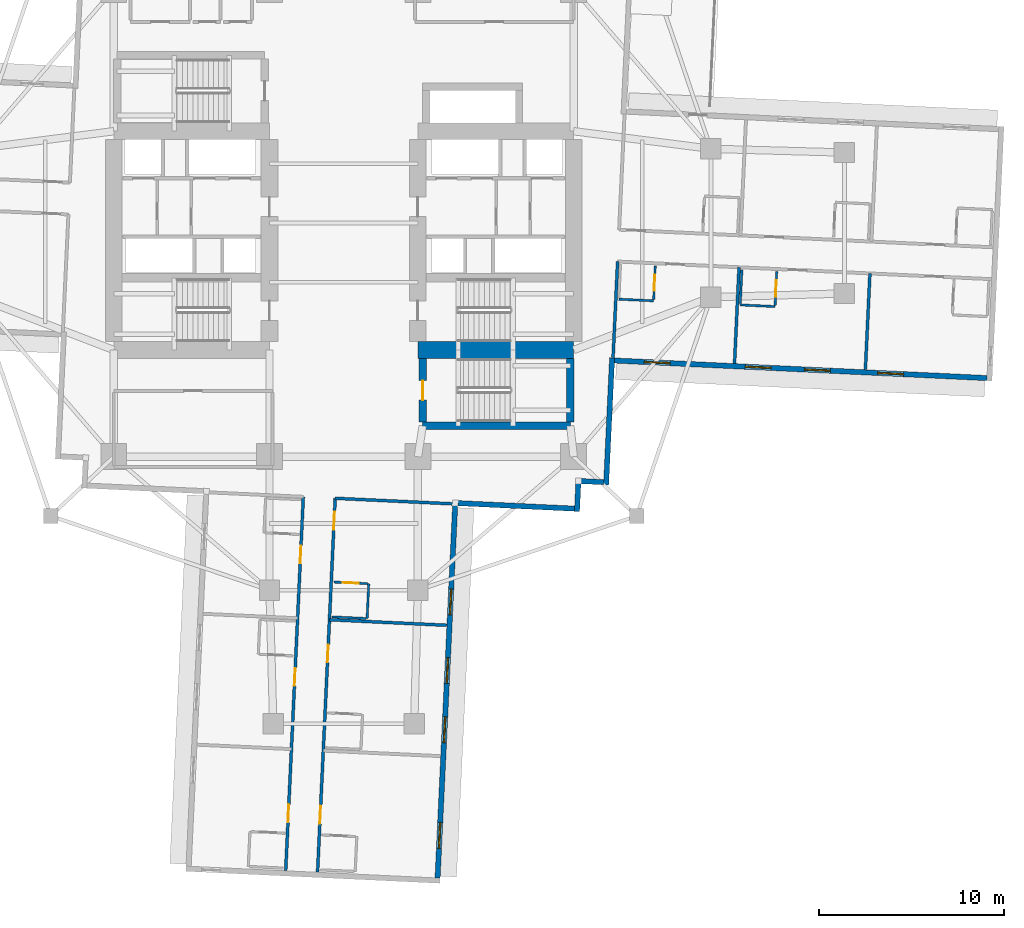
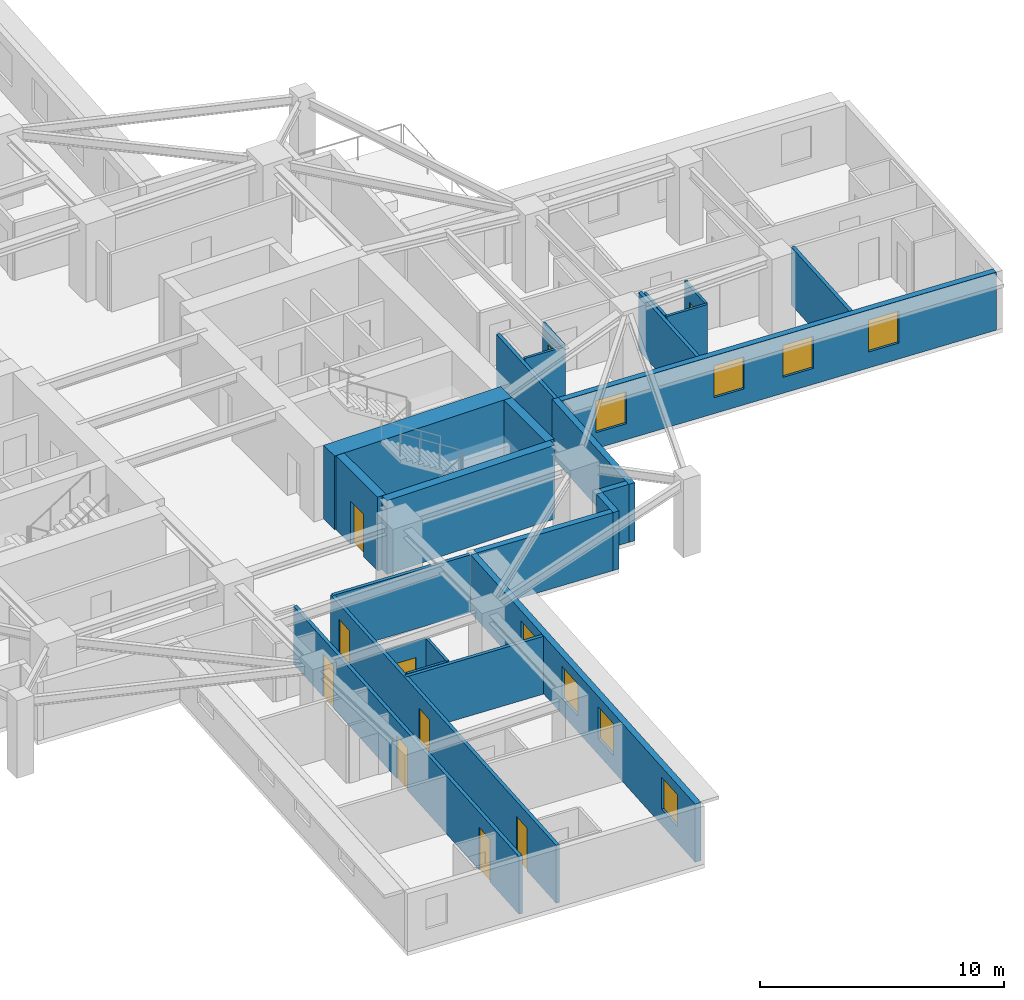
# One storey, part 4 of 14: 25 walls, 10 doors, 8 windows, 18 openings.
"""IFC4 building model written with IfcOpenShell, lengths in metres."""

from ifc_helpers import new_model, si_unit, direction, frame, frame_2d, origin, place, context, subcontext, project, spatial, rectangle, extrude, material, layer, layer_set, type_object, element, fill, save


model = new_model("IFC4")

# Units and contexts
model_context = context("Model", 3, precision=1e-05, world=origin(), true_north=direction((0.0, 1.0)))
body_context = subcontext(model_context, "Body", "Model", "MODEL_VIEW")
ifc_project = project(units=[si_unit("LENGTHUNIT", "METRE"), si_unit("AREAUNIT", "SQUARE_METRE"), si_unit("VOLUMEUNIT", "CUBIC_METRE"), si_unit("PLANEANGLEUNIT", "RADIAN"), si_unit("MASSUNIT", "GRAM", prefix="KILO")], contexts=[model_context])

# Site, building, storey
site_placement = place(None, origin())
site = spatial("IfcSite", under=ifc_project, at=site_placement, CompositionType="ELEMENT")
building_placement = place(site_placement, origin())
building = spatial("IfcBuilding", under=site, at=building_placement, Name="Qingluan Cross Belvedere", CompositionType="ELEMENT")
storey_placement = place(building_placement, frame((0.0, 0.0, 75.60009765625)))
storey = spatial("IfcBuildingStorey", under=building, at=storey_placement, Name="L19", CompositionType="ELEMENT", Elevation=75.60009765625)

# Wall
ifc_material_1 = material(Name="Concrete C50", Category="concrete")
ifc_layer_1 = layer(ifc_material_1, 0.449951171875, Name="CoreShearWall_450")
ifc_layer_set_1 = layer_set([ifc_layer_1], Name="Concrete C50")
wall_type_1 = type_object("IfcWallType", Name="CoreShearWall_450", PredefinedType="SHEAR", material=ifc_layer_set_1)
wall_1_placement = place(storey_placement, frame((4.260009765625, -10.93994140625, 0.0), z_axis=(0.0, 0.0, 1.0), x_axis=(1.0, 0.0, 0.0)))
element("IfcWall", 1, at=wall_1_placement, inside=storey, type_object=wall_type_1, Name="Stair ST4 structural wall S L19", PredefinedType="SHEAR", context=body_context, shape_type="SweptSolid", body=[
    extrude(rectangle(XDim=7.9599609375, YDim=0.39990234375, at=frame_2d((3.97998046875, 0.0))), origin(), (0.0, 0.0, 1.0), 3.699951171875),
])

# Wall, opening, door
wall_2_placement = place(storey_placement, frame((4.260009765625, -10.735107421875, 0.0), z_axis=(0.0, 0.0, 1.0), x_axis=(0.0, 1.0, 0.0)))
wall_2 = element("IfcWall", 2, at=wall_2_placement, inside=storey, type_object=wall_type_1, Name="Stair ST4 structural wall W L19", PredefinedType="SHEAR", context=body_context, shape_type="SweptSolid", body=[
    extrude(rectangle(XDim=3.43017578125, YDim=0.39990234375, at=frame_2d((1.715087890625, 0.0))), origin(), (0.0, 0.0, 1.0), 3.699951171875),
])
opening_1_placement = place(wall_2_placement, frame((1.18505859375, 0.0, 0.0)))
opening_1 = element("IfcOpeningElement", 3, at=opening_1_placement, cuts=wall_2, Name="Opening FD-B11", PredefinedType="OPENING", context=body_context, shape_type="SweptSolid", body=[
    extrude(rectangle(XDim=1.050048828125, YDim=2.14990234375, at=frame_2d((0.52490234375, 1.074951171875))), frame((0.0, 0.2099609375, 0.0), z_axis=(0.0, -1.0, 0.0), x_axis=(1.0, 0.0, 0.0)), (0.0, 0.0, 1.0), 0.419921875),
])
ifc_material_2 = material(Name="Steel Class B smoke-seal fire door", Category="steel")
door_type_1 = type_object("IfcDoorType", Name="StairLobbyFireDoor_FDB", OperationType="NOTDEFINED", PredefinedType="DOOR", material=ifc_material_2)
door_1_placement = place(opening_1_placement, origin())
door_1 = element("IfcDoor", 4, at=door_1_placement, inside=storey, type_object=door_type_1, Name="Smoke-proof stair ST4 fire door L19", OperationType="SINGLE_SWING_LEFT", OverallHeight=2.14990234375, OverallWidth=1.050048828125, PredefinedType="DOOR", context=body_context, shape_type="SweptSolid", body=[
    extrude(rectangle(XDim=1.050048828125, YDim=2.14990234375, at=frame_2d((0.52490234375, 1.074951171875))), frame((0.0, 0.02490234375, 0.0), z_axis=(0.0, -1.0, 0.0), x_axis=(1.0, 0.0, 0.0)), (0.0, 0.0, 1.0), 0.050048828125),
])
fill(opening_1, door_1)

# Walls
wall_3_placement = place(storey_placement, frame((12.219970703125, -10.735107421875, 0.0), z_axis=(0.0, 0.0, 1.0), x_axis=(0.0, 1.0, 0.0)))
element("IfcWall", 5, at=wall_3_placement, inside=storey, type_object=wall_type_1, Name="Stair ST4 structural wall E L19", PredefinedType="SHEAR", context=body_context, shape_type="SweptSolid", body=[
    extrude(rectangle(XDim=3.43017578125, YDim=0.39990234375, at=frame_2d((1.715087890625, 0.0))), origin(), (0.0, 0.0, 1.0), 3.699951171875),
])
ifc_material_3 = material(Name="Concrete C70", Category="concrete")
ifc_layer_2 = layer(ifc_material_3, 0.89990234375, Name="CoreShearWall_900")
ifc_layer_set_2 = layer_set([ifc_layer_2], Name="Concrete C70")
wall_type_2 = type_object("IfcWallType", Name="CoreShearWall_900", PredefinedType="SHEAR", material=ifc_layer_set_2)
wall_4_placement = place(storey_placement, frame((4.0, -6.85009765625, 0.0), z_axis=(0.0, 0.0, 1.0), x_axis=(1.0, 0.0, 0.0)))
element("IfcWall", 6, at=wall_4_placement, inside=storey, type_object=wall_type_2, Name="Split core E shear wall L19-S", PredefinedType="SHEAR", context=body_context, shape_type="SweptSolid", body=[
    extrude(rectangle(XDim=8.39990234375, YDim=0.89990234375, at=frame_2d((4.199951171875, 0.0))), origin(), (0.0, 0.0, 1.0), 3.699951171875),
])
ifc_material_4 = material(Name="Gypsum plasterboard on steel stud acoustic partition", Category="steel")
ifc_layer_3 = layer(ifc_material_4, 0.159912109375, Name="CorridorPartition_160")
ifc_layer_set_3 = layer_set([ifc_layer_3], Name="Gypsum plasterboard on steel stud acoustic partition")
wall_type_3 = type_object("IfcWallType", Name="CorridorPartition_160", PredefinedType="PARTITIONING", material=ifc_layer_set_3)
wall_5_placement = place(storey_placement, frame((14.7685546875, -2.077880859375, 0.0), z_axis=(0.0, 0.0, 1.0), x_axis=(-0.047113881733, -0.998889524496, 0.0)))
element("IfcWall", 7, at=wall_5_placement, inside=storey, type_object=wall_type_3, Name="Partition L19:E:s1", PredefinedType="PARTITIONING", context=body_context, shape_type="SweptSolid", body=[
    extrude(rectangle(XDim=5.1923828125, YDim=0.159912109375, at=frame_2d((2.59619140625, 0.0))), origin(), (0.0, 0.0, 1.0), 2.89990234375),
])
for number, where, z_axis, x_axis, name in (
    (8, (21.317138671875, -2.38671875, 0.0), (0.0, 0.0, 1.0), (-0.047069176844, -0.998891632056, 0.0), "Partition L19:E:d1_0"),
    (9, (28.37451171875, -2.719482421875, 0.0), (0.0, 0.0, 1.0), (-0.047116094665, -0.998889420118, 0.0), "Partition L19:E:d1_1"),
):
    element("IfcWall", number, at=place(storey_placement, frame(where, z_axis=z_axis, x_axis=x_axis)), inside=storey, type_object=wall_type_3, Name=name, PredefinedType="PARTITIONING", context=body_context, shape_type="SweptSolid", body=[
        extrude(rectangle(XDim=5.192138671875, YDim=0.159912109375, at=frame_2d((2.59619140625, 0.0))), origin(), (0.0, 0.0, 1.0), 2.89990234375),
    ])

# Wall, openings, doors
wall_6_placement = place(storey_placement, frame((-0.459716796875, -14.8447265625, 0.0), z_axis=(0.0, 0.0, 1.0), x_axis=(-0.047105352469, -0.998889926753, 0.0)))
wall_6 = element("IfcWall", 10, at=wall_6_placement, inside=storey, type_object=wall_type_3, Name="Partition L19:S:c0", PredefinedType="PARTITIONING", context=body_context, shape_type="SweptSolid", body=[
    extrude(rectangle(XDim=20.18212890625, YDim=0.159912109375, at=frame_2d((10.091064453125, 0.0))), origin(), (0.0, 0.0, 1.0), 2.89990234375),
])
opening_2_placement = place(wall_6_placement, frame((0.73095703125, 0.0, 0.0)))
opening_2 = element("IfcOpeningElement", 11, at=opening_2_placement, cuts=wall_6, Name="Opening GD-10", PredefinedType="OPENING", context=body_context, shape_type="SweptSolid", body=[
    extrude(rectangle(XDim=0.9599609375, YDim=2.14990234375, at=frame_2d((0.47998046875, 1.074951171875))), frame((0.0, 0.08984375, 0.0), z_axis=(0.0, -1.0, 0.0), x_axis=(1.0, 0.0, 0.0)), (0.0, 0.0, 1.0), 0.179931640625),
])
opening_3_placement = place(wall_6_placement, frame((7.89599609375, 0.0, 0.0)))
opening_3 = element("IfcOpeningElement", 12, at=opening_3_placement, cuts=wall_6, Name="Opening GD-10", PredefinedType="OPENING", context=body_context, shape_type="SweptSolid", body=[
    extrude(rectangle(XDim=0.9599609375, YDim=2.14990234375, at=frame_2d((0.47998046875, 1.074951171875))), frame((0.0, 0.08984375, 0.0), z_axis=(0.0, -1.0, 0.0), x_axis=(1.0, 0.0, 0.0)), (0.0, 0.0, 1.0), 0.179931640625),
])
opening_4_placement = place(wall_6_placement, frame((16.611083984375, 0.0, 0.0)))
opening_4 = element("IfcOpeningElement", 13, at=opening_4_placement, cuts=wall_6, Name="Opening GD-10", PredefinedType="OPENING", context=body_context, shape_type="SweptSolid", body=[
    extrude(rectangle(XDim=0.9599609375, YDim=2.14990234375, at=frame_2d((0.47998046875, 1.074951171875))), frame((0.0, 0.08984375, 0.0), z_axis=(0.0, -1.0, 0.0), x_axis=(1.0, 0.0, 0.0)), (0.0, 0.0, 1.0), 0.179931640625),
])
ifc_material_5 = material(Name="Timber oak fire-rated acoustic guestroom door", Category="wood")
door_type_2 = type_object("IfcDoorType", Name="GuestEntryDoor_FD60", OperationType="NOTDEFINED", PredefinedType="DOOR", material=ifc_material_5)
door_2_placement = place(opening_2_placement, origin())
door_2 = element("IfcDoor", 14, at=door_2_placement, inside=storey, type_object=door_type_2, Name="Guest entry fire door 1913", OperationType="SINGLE_SWING_LEFT", OverallHeight=2.14990234375, OverallWidth=0.9599609375, PredefinedType="DOOR", context=body_context, shape_type="SweptSolid", body=[
    extrude(rectangle(XDim=0.9599609375, YDim=2.14990234375, at=frame_2d((0.47998046875, 1.074951171875))), frame((0.0, 0.02490234375, 0.0), z_axis=(0.0, -1.0, 0.0), x_axis=(1.0, 0.0, 0.0)), (0.0, 0.0, 1.0), 0.050048828125),
])
fill(opening_2, door_2)
door_3_placement = place(opening_3_placement, origin())
door_3 = element("IfcDoor", 15, at=door_3_placement, inside=storey, type_object=door_type_2, Name="Guest entry fire door 1914", OperationType="SINGLE_SWING_LEFT", OverallHeight=2.14990234375, OverallWidth=0.9599609375, PredefinedType="DOOR", context=body_context, shape_type="SweptSolid", body=[
    extrude(rectangle(XDim=0.9599609375, YDim=2.14990234375, at=frame_2d((0.47998046875, 1.074951171875))), frame((0.0, 0.02490234375, 0.0), z_axis=(0.0, -1.0, 0.0), x_axis=(1.0, 0.0, 0.0)), (0.0, 0.0, 1.0), 0.050048828125),
])
fill(opening_3, door_3)
door_4_placement = place(opening_4_placement, origin())
door_4 = element("IfcDoor", 16, at=door_4_placement, inside=storey, type_object=door_type_2, Name="Guest entry fire door 1915", OperationType="SINGLE_SWING_LEFT", OverallHeight=2.14990234375, OverallWidth=0.9599609375, PredefinedType="DOOR", context=body_context, shape_type="SweptSolid", body=[
    extrude(rectangle(XDim=0.9599609375, YDim=2.14990234375, at=frame_2d((0.47998046875, 1.074951171875))), frame((0.0, 0.02490234375, 0.0), z_axis=(0.0, -1.0, 0.0), x_axis=(1.0, 0.0, 0.0)), (0.0, 0.0, 1.0), 0.050048828125),
])
fill(opening_4, door_4)

# Walls
wall_7_placement = place(storey_placement, frame((-0.459716796875, -14.8447265625, 0.0), z_axis=(0.0, 0.0, 1.0), x_axis=(0.998888587821, -0.047133736548, 0.0)))
element("IfcWall", 17, at=wall_7_placement, inside=storey, type_object=wall_type_3, Name="Partition L19:S:s0", PredefinedType="PARTITIONING", context=body_context, shape_type="SweptSolid", body=[
    extrude(rectangle(XDim=6.479736328125, YDim=0.159912109375, at=frame_2d((3.23974609375, 0.0))), origin(), (0.0, 0.0, 1.0), 2.89990234375),
])
wall_8_placement = place(storey_placement, frame((-0.7685546875, -21.3935546875, 0.0), z_axis=(0.0, 0.0, 1.0), x_axis=(0.998889408842, -0.047116333717, 0.0)))
element("IfcWall", 18, at=wall_8_placement, inside=storey, type_object=wall_type_3, Name="Partition L19:S:d0_0", PredefinedType="PARTITIONING", context=body_context, shape_type="SweptSolid", body=[
    extrude(rectangle(XDim=6.33203125, YDim=0.159912109375, at=frame_2d((3.166015625, 0.0))), origin(), (0.0, 0.0, 1.0), 2.89990234375),
])

# Wall, openings, doors
wall_9_placement = place(storey_placement, frame((-2.177978515625, -14.763916015625, 0.0), z_axis=(0.0, 0.0, 1.0), x_axis=(-0.047105921672, -0.998889899911, 0.0)))
wall_9 = element("IfcWall", 19, at=wall_9_placement, inside=storey, type_object=wall_type_3, Name="Partition L19:S:c1", PredefinedType="PARTITIONING", context=body_context, shape_type="SweptSolid", body=[
    extrude(rectangle(XDim=20.181884765625, YDim=0.159912109375, at=frame_2d((10.0908203125, 0.0))), origin(), (0.0, 0.0, 1.0), 2.89990234375),
])
opening_5_placement = place(wall_9_placement, frame((2.635986328125, 0.0, 0.0)))
opening_5 = element("IfcOpeningElement", 20, at=opening_5_placement, cuts=wall_9, Name="Opening GD-10", PredefinedType="OPENING", context=body_context, shape_type="SweptSolid", body=[
    extrude(rectangle(XDim=0.9599609375, YDim=2.14990234375, at=frame_2d((0.47998046875, 1.074951171875))), frame((0.0, 0.08984375, 0.0), z_axis=(0.0, -1.0, 0.0), x_axis=(1.0, 0.0, 0.0)), (0.0, 0.0, 1.0), 0.179931640625),
])
opening_6_placement = place(wall_9_placement, frame((9.242919921875, 0.0, 0.0)))
opening_6 = element("IfcOpeningElement", 21, at=opening_6_placement, cuts=wall_9, Name="Opening GD-10", PredefinedType="OPENING", context=body_context, shape_type="SweptSolid", body=[
    extrude(rectangle(XDim=0.9599609375, YDim=2.14990234375, at=frame_2d((0.47998046875, 1.074951171875))), frame((0.0, 0.08984375, 0.0), z_axis=(0.0, -1.0, 0.0), x_axis=(1.0, 0.0, 0.0)), (0.0, 0.0, 1.0), 0.179931640625),
])
opening_7_placement = place(wall_9_placement, frame((16.611083984375, 0.0, 0.0)))
opening_7 = element("IfcOpeningElement", 22, at=opening_7_placement, cuts=wall_9, Name="Opening GD-10", PredefinedType="OPENING", context=body_context, shape_type="SweptSolid", body=[
    extrude(rectangle(XDim=0.9599609375, YDim=2.14990234375, at=frame_2d((0.47998046875, 1.074951171875))), frame((0.0, 0.08984375, 0.0), z_axis=(0.0, -1.0, 0.0), x_axis=(1.0, 0.0, 0.0)), (0.0, 0.0, 1.0), 0.179931640625),
])
door_5_placement = place(opening_5_placement, origin())
door_5 = element("IfcDoor", 23, at=door_5_placement, inside=storey, type_object=door_type_2, Name="Guest entry fire door 1916", OperationType="SINGLE_SWING_LEFT", OverallHeight=2.14990234375, OverallWidth=0.9599609375, PredefinedType="DOOR", context=body_context, shape_type="SweptSolid", body=[
    extrude(rectangle(XDim=0.9599609375, YDim=2.14990234375, at=frame_2d((0.47998046875, 1.074951171875))), frame((0.0, 0.02490234375, 0.0), z_axis=(0.0, -1.0, 0.0), x_axis=(1.0, 0.0, 0.0)), (0.0, 0.0, 1.0), 0.050048828125),
])
fill(opening_5, door_5)
door_6_placement = place(opening_6_placement, origin())
door_6 = element("IfcDoor", 24, at=door_6_placement, inside=storey, type_object=door_type_2, Name="Guest entry fire door 1917", OperationType="SINGLE_SWING_LEFT", OverallHeight=2.14990234375, OverallWidth=0.9599609375, PredefinedType="DOOR", context=body_context, shape_type="SweptSolid", body=[
    extrude(rectangle(XDim=0.9599609375, YDim=2.14990234375, at=frame_2d((0.47998046875, 1.074951171875))), frame((0.0, 0.02490234375, 0.0), z_axis=(0.0, -1.0, 0.0), x_axis=(1.0, 0.0, 0.0)), (0.0, 0.0, 1.0), 0.050048828125),
])
fill(opening_6, door_6)
door_7_placement = place(opening_7_placement, origin())
door_7 = element("IfcDoor", 25, at=door_7_placement, inside=storey, type_object=door_type_2, Name="Guest entry fire door 1918", OperationType="SINGLE_SWING_LEFT", OverallHeight=2.14990234375, OverallWidth=0.9599609375, PredefinedType="DOOR", context=body_context, shape_type="SweptSolid", body=[
    extrude(rectangle(XDim=0.9599609375, YDim=2.14990234375, at=frame_2d((0.47998046875, 1.074951171875))), frame((0.0, 0.02490234375, 0.0), z_axis=(0.0, -1.0, 0.0), x_axis=(1.0, 0.0, 0.0)), (0.0, 0.0, 1.0), 0.050048828125),
])
fill(opening_7, door_7)

# Wall, opening, door
ifc_material_6 = material(Name="Moisture-resistant gypsum board lining")
ifc_layer_4 = layer(ifc_material_6, 0.1201171875, Name="EnsuiteWetPartition_120")
ifc_layer_set_4 = layer_set([ifc_layer_4], Name="Moisture-resistant gypsum board lining")
wall_type_4 = type_object("IfcWallType", Name="EnsuiteWetPartition_120", PredefinedType="PARTITIONING", material=ifc_layer_set_4)
wall_10_placement = place(storey_placement, frame((16.7138671875, -4.1318359375, 0.0), z_axis=(0.0, 0.0, 1.0), x_axis=(0.047087116047, 0.998890786574, 0.0)))
wall_10 = element("IfcWall", 26, at=wall_10_placement, inside=storey, type_object=wall_type_4, Name="Partition L19:E:bs1_0", PredefinedType="PARTITIONING", context=body_context, shape_type="SweptSolid", body=[
    extrude(rectangle(XDim=1.81982421875, YDim=0.1201171875, at=frame_2d((0.909912109375, 0.0))), origin(), (0.0, 0.0, 1.0), 2.89990234375),
])
opening_8_placement = place(wall_10_placement, frame((0.469970703125, 0.0, 0.0)))
opening_8 = element("IfcOpeningElement", 27, at=opening_8_placement, cuts=wall_10, Name="Opening BD-09", PredefinedType="OPENING", context=body_context, shape_type="SweptSolid", body=[
    extrude(rectangle(XDim=0.8798828125, YDim=2.10009765625, at=frame_2d((0.43994140625, 1.050048828125))), frame((0.0, 0.070068359375, 0.0), z_axis=(0.0, -1.0, 0.0), x_axis=(1.0, 0.0, 0.0)), (0.0, 0.0, 1.0), 0.14013671875),
])
ifc_material_7 = material(Name="Moisture-sealed timber en-suite door", Category="wood")
door_type_3 = type_object("IfcDoorType", Name="BathroomDoor_880", OperationType="NOTDEFINED", PredefinedType="DOOR", material=ifc_material_7)
door_8_placement = place(opening_8_placement, origin())
door_8 = element("IfcDoor", 28, at=door_8_placement, inside=storey, type_object=door_type_3, Name="Bathroom door 1904", OperationType="SINGLE_SWING_RIGHT", OverallHeight=2.10009765625, OverallWidth=0.8798828125, PredefinedType="DOOR", context=body_context, shape_type="SweptSolid", body=[
    extrude(rectangle(XDim=0.8798828125, YDim=2.10009765625, at=frame_2d((0.43994140625, 1.050048828125))), frame((0.0, 0.02490234375, 0.0), z_axis=(0.0, -1.0, 0.0), x_axis=(1.0, 0.0, 0.0)), (0.0, 0.0, 1.0), 0.050048828125),
])
fill(opening_8, door_8)

# Wall
wall_11_placement = place(storey_placement, frame((14.8330078125, -4.1083984375, 0.0), z_axis=(0.0, 0.0, 1.0), x_axis=(0.998894425757, -0.04700985207, 0.0)))
element("IfcWall", 29, at=wall_11_placement, inside=storey, type_object=wall_type_4, Name="Partition L19:E:bc1_0", PredefinedType="PARTITIONING", context=body_context, shape_type="SweptSolid", body=[
    extrude(rectangle(XDim=1.880126953125, YDim=0.1201171875, at=frame_2d((0.93994140625, 0.0))), origin(), (0.0, 0.0, 1.0), 2.89990234375),
])

# Wall, opening, door
wall_12_placement = place(storey_placement, frame((23.2626953125, -4.44091796875, 0.0), z_axis=(0.0, 0.0, 1.0), x_axis=(0.047080807099, 0.998891083954, 0.0)))
wall_12 = element("IfcWall", 30, at=wall_12_placement, inside=storey, type_object=wall_type_4, Name="Partition L19:E:bs1_1", PredefinedType="PARTITIONING", context=body_context, shape_type="SweptSolid", body=[
    extrude(rectangle(XDim=1.820068359375, YDim=0.1201171875, at=frame_2d((0.91015625, 0.0))), origin(), (0.0, 0.0, 1.0), 2.89990234375),
])
opening_9_placement = place(wall_12_placement, frame((0.469970703125, 0.0, 0.0)))
opening_9 = element("IfcOpeningElement", 31, at=opening_9_placement, cuts=wall_12, Name="Opening BD-09", PredefinedType="OPENING", context=body_context, shape_type="SweptSolid", body=[
    extrude(rectangle(XDim=0.8798828125, YDim=2.10009765625, at=frame_2d((0.43994140625, 1.050048828125))), frame((0.0, 0.070068359375, 0.0), z_axis=(0.0, -1.0, 0.0), x_axis=(1.0, 0.0, 0.0)), (0.0, 0.0, 1.0), 0.14013671875),
])
door_9_placement = place(opening_9_placement, origin())
door_9 = element("IfcDoor", 32, at=door_9_placement, inside=storey, type_object=door_type_3, Name="Bathroom door 1905", OperationType="SINGLE_SWING_RIGHT", OverallHeight=2.10009765625, OverallWidth=0.8798828125, PredefinedType="DOOR", context=body_context, shape_type="SweptSolid", body=[
    extrude(rectangle(XDim=0.8798828125, YDim=2.10009765625, at=frame_2d((0.43994140625, 1.050048828125))), frame((0.0, 0.02490234375, 0.0), z_axis=(0.0, -1.0, 0.0), x_axis=(1.0, 0.0, 0.0)), (0.0, 0.0, 1.0), 0.050048828125),
])
fill(opening_9, door_9)

# Walls
wall_13_placement = place(storey_placement, frame((21.384765625, -4.352294921875, 0.0), z_axis=(0.0, 0.0, 1.0), x_axis=(0.047080807099, 0.998891083954, 0.0)))
element("IfcWall", 33, at=wall_13_placement, inside=storey, type_object=wall_type_4, Name="Partition L19:E:bw1_1", PredefinedType="PARTITIONING", context=body_context, shape_type="SweptSolid", body=[
    extrude(rectangle(XDim=1.820068359375, YDim=0.1201171875, at=frame_2d((0.91015625, 0.0))), origin(), (0.0, 0.0, 1.0), 2.89990234375),
])
wall_14_placement = place(storey_placement, frame((21.381591796875, -4.4169921875, 0.0), z_axis=(0.0, 0.0, 1.0), x_axis=(0.998888319371, -0.047139425368, 0.0)))
element("IfcWall", 34, at=wall_14_placement, inside=storey, type_object=wall_type_4, Name="Partition L19:E:bc1_1", PredefinedType="PARTITIONING", context=body_context, shape_type="SweptSolid", body=[
    extrude(rectangle(XDim=1.880126953125, YDim=0.1201171875, at=frame_2d((0.93994140625, 0.0))), origin(), (0.0, 0.0, 1.0), 2.89990234375),
])

# Wall, opening, door
wall_15_placement = place(storey_placement, frame((-0.53271484375, -19.3623046875, 0.0), z_axis=(0.0, 0.0, 1.0), x_axis=(0.998891083954, -0.047080807099, 0.0)))
wall_15 = element("IfcWall", 35, at=wall_15_placement, inside=storey, type_object=wall_type_4, Name="Partition L19:S:bs0_0", PredefinedType="PARTITIONING", context=body_context, shape_type="SweptSolid", body=[
    extrude(rectangle(XDim=1.820068359375, YDim=0.1201171875, at=frame_2d((0.91015625, 0.0))), origin(), (0.0, 0.0, 1.0), 2.89990234375),
])
opening_10_placement = place(wall_15_placement, frame((0.469970703125, 0.0, 0.0)))
opening_10 = element("IfcOpeningElement", 36, at=opening_10_placement, cuts=wall_15, Name="Opening BD-09", PredefinedType="OPENING", context=body_context, shape_type="SweptSolid", body=[
    extrude(rectangle(XDim=0.8798828125, YDim=2.10009765625, at=frame_2d((0.43994140625, 1.050048828125))), frame((0.0, 0.070068359375, 0.0), z_axis=(0.0, -1.0, 0.0), x_axis=(1.0, 0.0, 0.0)), (0.0, 0.0, 1.0), 0.14013671875),
])
door_10_placement = place(opening_10_placement, origin())
door_10 = element("IfcDoor", 37, at=door_10_placement, inside=storey, type_object=door_type_3, Name="Bathroom door 1913", OperationType="SINGLE_SWING_RIGHT", OverallHeight=2.10009765625, OverallWidth=0.8798828125, PredefinedType="DOOR", context=body_context, shape_type="SweptSolid", body=[
    extrude(rectangle(XDim=0.8798828125, YDim=2.10009765625, at=frame_2d((0.43994140625, 1.050048828125))), frame((0.0, 0.02490234375, 0.0), z_axis=(0.0, -1.0, 0.0), x_axis=(1.0, 0.0, 0.0)), (0.0, 0.0, 1.0), 0.050048828125),
])
fill(opening_10, door_10)

# Walls
wall_16_placement = place(storey_placement, frame((-0.62109375, -21.240234375, 0.0), z_axis=(0.0, 0.0, 1.0), x_axis=(0.998890786574, -0.047087116047, 0.0)))
element("IfcWall", 38, at=wall_16_placement, inside=storey, type_object=wall_type_4, Name="Partition L19:S:bw0_0", PredefinedType="PARTITIONING", context=body_context, shape_type="SweptSolid", body=[
    extrude(rectangle(XDim=1.81982421875, YDim=0.1201171875, at=frame_2d((0.909912109375, 0.0))), origin(), (0.0, 0.0, 1.0), 2.89990234375),
])
wall_17_placement = place(storey_placement, frame((1.35009765625, -19.451171875, 0.0), z_axis=(0.0, 0.0, 1.0), x_axis=(-0.04700985207, -0.998894425757, 0.0)))
element("IfcWall", 39, at=wall_17_placement, inside=storey, type_object=wall_type_4, Name="Partition L19:S:bn0_0", PredefinedType="PARTITIONING", context=body_context, shape_type="SweptSolid", body=[
    extrude(rectangle(XDim=1.880126953125, YDim=0.1201171875, at=frame_2d((0.93994140625, 0.0))), origin(), (0.0, 0.0, 1.0), 2.89990234375),
])

# Wall, openings, windows
ifc_material_8 = material(Name="Precast concrete C45", Category="concrete")
ifc_layer_5 = layer(ifc_material_8, 0.280029296875, Name="PrecastFacadeWall_280")
ifc_layer_set_5 = layer_set([ifc_layer_5], Name="Precast concrete C45")
wall_type_5 = type_object("IfcWallType", Name="PrecastFacadeWall_280", PredefinedType="STANDARD", material=ifc_layer_set_5)
wall_18_placement = place(storey_placement, frame((14.60693359375, -7.416259765625, 0.0), z_axis=(0.0, 0.0, 1.0), x_axis=(0.998890015344, -0.047103473814, 0.0)))
wall_18 = element("IfcWall", 40, at=wall_18_placement, inside=storey, type_object=wall_type_5, Name="Facade wall L19-EA", PredefinedType="STANDARD", context=body_context, shape_type="SweptSolid", body=[
    extrude(rectangle(XDim=20.099853515625, YDim=0.280029296875, at=frame_2d((10.0498046875, 0.0))), origin(), (0.0, 0.0, 1.0), 2.909912109375),
])
opening_11_placement = place(wall_18_placement, frame((1.60009765625, 0.0, 0.800048828125)))
opening_11 = element("IfcOpeningElement", 41, at=opening_11_placement, cuts=wall_18, Name="Opening W-01", PredefinedType="OPENING", context=body_context, shape_type="SweptSolid", body=[
    extrude(rectangle(XDim=1.39990234375, YDim=1.60009765625, at=frame_2d((0.699951171875, 0.800048828125))), frame((0.0, 0.14990234375, 0.0), z_axis=(0.0, -1.0, 0.0), x_axis=(1.0, 0.0, 0.0)), (0.0, 0.0, 1.0), 0.300048828125),
])
opening_12_placement = place(wall_18_placement, frame((7.050048828125, 0.0, 0.800048828125)))
opening_12 = element("IfcOpeningElement", 42, at=opening_12_placement, cuts=wall_18, Name="Opening W-01", PredefinedType="OPENING", context=body_context, shape_type="SweptSolid", body=[
    extrude(rectangle(XDim=1.39990234375, YDim=1.60009765625, at=frame_2d((0.699951171875, 0.800048828125))), frame((0.0, 0.14990234375, 0.0), z_axis=(0.0, -1.0, 0.0), x_axis=(1.0, 0.0, 0.0)), (0.0, 0.0, 1.0), 0.300048828125),
])
opening_13_placement = place(wall_18_placement, frame((10.25, 0.0, 0.800048828125)))
opening_13 = element("IfcOpeningElement", 43, at=opening_13_placement, cuts=wall_18, Name="Opening W-01", PredefinedType="OPENING", context=body_context, shape_type="SweptSolid", body=[
    extrude(rectangle(XDim=1.39990234375, YDim=1.60009765625, at=frame_2d((0.699951171875, 0.800048828125))), frame((0.0, 0.14990234375, 0.0), z_axis=(0.0, -1.0, 0.0), x_axis=(1.0, 0.0, 0.0)), (0.0, 0.0, 1.0), 0.300048828125),
])
opening_14_placement = place(wall_18_placement, frame((14.199951171875, 0.0, 0.800048828125)))
opening_14 = element("IfcOpeningElement", 44, at=opening_14_placement, cuts=wall_18, Name="Opening W-01", PredefinedType="OPENING", context=body_context, shape_type="SweptSolid", body=[
    extrude(rectangle(XDim=1.39990234375, YDim=1.60009765625, at=frame_2d((0.699951171875, 0.800048828125))), frame((0.0, 0.14990234375, 0.0), z_axis=(0.0, -1.0, 0.0), x_axis=(1.0, 0.0, 0.0)), (0.0, 0.0, 1.0), 0.300048828125),
])
ifc_material_9 = material(Name="Thermally broken triple Low-E glass in aluminium frame", Category="aluminium")
window_type = type_object("IfcWindowType", Name="TriRibbonWin_1400x1600", PartitioningType="SINGLE_PANEL", PredefinedType="WINDOW", material=ifc_material_9)
window_1_placement = place(opening_11_placement, origin())
window_1 = element("IfcWindow", 45, at=window_1_placement, inside=storey, type_object=window_type, Name="Ribbon window L19-EA-1", OverallHeight=1.60009765625, OverallWidth=1.39990234375, PartitioningType="SINGLE_PANEL", PredefinedType="WINDOW", context=body_context, shape_type="SweptSolid", body=[
    extrude(rectangle(XDim=1.39990234375, YDim=1.60009765625, at=frame_2d((0.699951171875, 0.800048828125))), frame((0.0, 0.030029296875, 0.0), z_axis=(0.0, -1.0, 0.0), x_axis=(1.0, 0.0, 0.0)), (0.0, 0.0, 1.0), 0.06005859375),
])
fill(opening_11, window_1)
window_2_placement = place(opening_12_placement, origin())
window_2 = element("IfcWindow", 46, at=window_2_placement, inside=storey, type_object=window_type, Name="Ribbon window L19-EA-2", OverallHeight=1.60009765625, OverallWidth=1.39990234375, PartitioningType="SINGLE_PANEL", PredefinedType="WINDOW", context=body_context, shape_type="SweptSolid", body=[
    extrude(rectangle(XDim=1.39990234375, YDim=1.60009765625, at=frame_2d((0.699951171875, 0.800048828125))), frame((0.0, 0.030029296875, 0.0), z_axis=(0.0, -1.0, 0.0), x_axis=(1.0, 0.0, 0.0)), (0.0, 0.0, 1.0), 0.06005859375),
])
fill(opening_12, window_2)
window_3_placement = place(opening_13_placement, origin())
window_3 = element("IfcWindow", 47, at=window_3_placement, inside=storey, type_object=window_type, Name="Ribbon window L19-EA-3", OverallHeight=1.60009765625, OverallWidth=1.39990234375, PartitioningType="SINGLE_PANEL", PredefinedType="WINDOW", context=body_context, shape_type="SweptSolid", body=[
    extrude(rectangle(XDim=1.39990234375, YDim=1.60009765625, at=frame_2d((0.699951171875, 0.800048828125))), frame((0.0, 0.030029296875, 0.0), z_axis=(0.0, -1.0, 0.0), x_axis=(1.0, 0.0, 0.0)), (0.0, 0.0, 1.0), 0.06005859375),
])
fill(opening_13, window_3)
window_4_placement = place(opening_14_placement, origin())
window_4 = element("IfcWindow", 48, at=window_4_placement, inside=storey, type_object=window_type, Name="Ribbon window L19-EA-4", OverallHeight=1.60009765625, OverallWidth=1.39990234375, PartitioningType="SINGLE_PANEL", PredefinedType="WINDOW", context=body_context, shape_type="SweptSolid", body=[
    extrude(rectangle(XDim=1.39990234375, YDim=1.60009765625, at=frame_2d((0.699951171875, 0.800048828125))), frame((0.0, 0.030029296875, 0.0), z_axis=(0.0, -1.0, 0.0), x_axis=(1.0, 0.0, 0.0)), (0.0, 0.0, 1.0), 0.06005859375),
])
fill(opening_14, window_4)

wall_19_placement = place(storey_placement, frame((5.06201171875, -35.317626953125, 0.0), z_axis=(0.0, 0.0, 1.0), x_axis=(0.047103473814, 0.998890015344, 0.0)))
wall_19 = element("IfcWall", 49, at=wall_19_placement, inside=storey, type_object=wall_type_5, Name="Facade wall L19-SB", PredefinedType="STANDARD", context=body_context, shape_type="SweptSolid", body=[
    extrude(rectangle(XDim=20.099853515625, YDim=0.280029296875, at=frame_2d((10.0498046875, 0.0))), origin(), (0.0, 0.0, 1.0), 2.909912109375),
])
opening_15_placement = place(wall_19_placement, frame((1.60009765625, 0.0, 0.800048828125)))
opening_15 = element("IfcOpeningElement", 50, at=opening_15_placement, cuts=wall_19, Name="Opening W-01", PredefinedType="OPENING", context=body_context, shape_type="SweptSolid", body=[
    extrude(rectangle(XDim=1.39990234375, YDim=1.60009765625, at=frame_2d((0.699951171875, 0.800048828125))), frame((0.0, 0.14990234375, 0.0), z_axis=(0.0, -1.0, 0.0), x_axis=(1.0, 0.0, 0.0)), (0.0, 0.0, 1.0), 0.300048828125),
])
opening_16_placement = place(wall_19_placement, frame((7.300048828125, 0.0, 0.800048828125)))
opening_16 = element("IfcOpeningElement", 51, at=opening_16_placement, cuts=wall_19, Name="Opening W-01", PredefinedType="OPENING", context=body_context, shape_type="SweptSolid", body=[
    extrude(rectangle(XDim=1.39990234375, YDim=1.60009765625, at=frame_2d((0.699951171875, 0.800048828125))), frame((0.0, 0.14990234375, 0.0), z_axis=(0.0, -1.0, 0.0), x_axis=(1.0, 0.0, 0.0)), (0.0, 0.0, 1.0), 0.300048828125),
])
opening_17_placement = place(wall_19_placement, frame((10.5, 0.0, 0.800048828125)))
opening_17 = element("IfcOpeningElement", 52, at=opening_17_placement, cuts=wall_19, Name="Opening W-01", PredefinedType="OPENING", context=body_context, shape_type="SweptSolid", body=[
    extrude(rectangle(XDim=1.39990234375, YDim=1.60009765625, at=frame_2d((0.699951171875, 0.800048828125))), frame((0.0, 0.14990234375, 0.0), z_axis=(0.0, -1.0, 0.0), x_axis=(1.0, 0.0, 0.0)), (0.0, 0.0, 1.0), 0.300048828125),
])
opening_18_placement = place(wall_19_placement, frame((14.199951171875, 0.0, 0.800048828125)))
opening_18 = element("IfcOpeningElement", 53, at=opening_18_placement, cuts=wall_19, Name="Opening W-01", PredefinedType="OPENING", context=body_context, shape_type="SweptSolid", body=[
    extrude(rectangle(XDim=1.39990234375, YDim=1.60009765625, at=frame_2d((0.699951171875, 0.800048828125))), frame((0.0, 0.14990234375, 0.0), z_axis=(0.0, -1.0, 0.0), x_axis=(1.0, 0.0, 0.0)), (0.0, 0.0, 1.0), 0.300048828125),
])
window_5_placement = place(opening_15_placement, origin())
window_5 = element("IfcWindow", 54, at=window_5_placement, inside=storey, type_object=window_type, Name="Ribbon window L19-SB-1", OverallHeight=1.60009765625, OverallWidth=1.39990234375, PartitioningType="SINGLE_PANEL", PredefinedType="WINDOW", context=body_context, shape_type="SweptSolid", body=[
    extrude(rectangle(XDim=1.39990234375, YDim=1.60009765625, at=frame_2d((0.699951171875, 0.800048828125))), frame((0.0, 0.030029296875, 0.0), z_axis=(0.0, -1.0, 0.0), x_axis=(1.0, 0.0, 0.0)), (0.0, 0.0, 1.0), 0.06005859375),
])
fill(opening_15, window_5)
window_6_placement = place(opening_16_placement, origin())
window_6 = element("IfcWindow", 55, at=window_6_placement, inside=storey, type_object=window_type, Name="Ribbon window L19-SB-2", OverallHeight=1.60009765625, OverallWidth=1.39990234375, PartitioningType="SINGLE_PANEL", PredefinedType="WINDOW", context=body_context, shape_type="SweptSolid", body=[
    extrude(rectangle(XDim=1.39990234375, YDim=1.60009765625, at=frame_2d((0.699951171875, 0.800048828125))), frame((0.0, 0.030029296875, 0.0), z_axis=(0.0, -1.0, 0.0), x_axis=(1.0, 0.0, 0.0)), (0.0, 0.0, 1.0), 0.06005859375),
])
fill(opening_16, window_6)
window_7_placement = place(opening_17_placement, origin())
window_7 = element("IfcWindow", 56, at=window_7_placement, inside=storey, type_object=window_type, Name="Ribbon window L19-SB-3", OverallHeight=1.60009765625, OverallWidth=1.39990234375, PartitioningType="SINGLE_PANEL", PredefinedType="WINDOW", context=body_context, shape_type="SweptSolid", body=[
    extrude(rectangle(XDim=1.39990234375, YDim=1.60009765625, at=frame_2d((0.699951171875, 0.800048828125))), frame((0.0, 0.030029296875, 0.0), z_axis=(0.0, -1.0, 0.0), x_axis=(1.0, 0.0, 0.0)), (0.0, 0.0, 1.0), 0.06005859375),
])
fill(opening_17, window_7)
window_8_placement = place(opening_18_placement, origin())
window_8 = element("IfcWindow", 57, at=window_8_placement, inside=storey, type_object=window_type, Name="Ribbon window L19-SB-4", OverallHeight=1.60009765625, OverallWidth=1.39990234375, PartitioningType="SINGLE_PANEL", PredefinedType="WINDOW", context=body_context, shape_type="SweptSolid", body=[
    extrude(rectangle(XDim=1.39990234375, YDim=1.60009765625, at=frame_2d((0.699951171875, 0.800048828125))), frame((0.0, 0.030029296875, 0.0), z_axis=(0.0, -1.0, 0.0), x_axis=(1.0, 0.0, 0.0)), (0.0, 0.0, 1.0), 0.06005859375),
])
fill(opening_18, window_8)

# Walls
wall_20_placement = place(storey_placement, frame((14.4736328125, -7.27001953125, 0.0), z_axis=(0.0, 0.0, 1.0), x_axis=(-0.04712043756, -0.998889215261, 0.0)))
element("IfcWall", 58, at=wall_20_placement, inside=storey, type_object=wall_type_5, Name="Corner wall L19-SE1", PredefinedType="STANDARD", context=body_context, shape_type="SweptSolid", body=[
    extrude(rectangle(XDim=6.85986328125, YDim=0.280029296875, at=frame_2d((3.429931640625, 0.0))), origin(), (0.0, 0.0, 1.0), 2.909912109375),
])
wall_21_placement = place(storey_placement, frame((14.01708984375, -13.975830078125, 0.0), z_axis=(0.0, 0.0, 1.0), x_axis=(-0.998883930236, 0.047232339719, 0.0)))
element("IfcWall", 59, at=wall_21_placement, inside=storey, type_object=wall_type_5, Name="Corner wall L19-SE2", PredefinedType="STANDARD", context=body_context, shape_type="SweptSolid", body=[
    extrude(rectangle(XDim=1.219970703125, YDim=0.280029296875, at=frame_2d((0.60986328125, 0.0))), origin(), (0.0, 0.0, 1.0), 2.909912109375),
])
wall_22_placement = place(storey_placement, frame((12.652099609375, -14.051513671875, 0.0), z_axis=(0.0, 0.0, 1.0), x_axis=(-0.047039284441, -0.99889304018, 0.0)))
element("IfcWall", 60, at=wall_22_placement, inside=storey, type_object=wall_type_5, Name="Corner wall L19-SE3", PredefinedType="STANDARD", context=body_context, shape_type="SweptSolid", body=[
    extrude(rectangle(XDim=1.5, YDim=0.280029296875, at=frame_2d((0.75, 0.0))), origin(), (0.0, 0.0, 1.0), 2.909912109375),
])
wall_23_placement = place(storey_placement, frame((12.4482421875, -15.403564453125, 0.0), z_axis=(0.0, 0.0, 1.0), x_axis=(-0.998889082162, 0.047123258997, 0.0)))
element("IfcWall", 61, at=wall_23_placement, inside=storey, type_object=wall_type_5, Name="Corner wall L19-SE4", PredefinedType="STANDARD", context=body_context, shape_type="SweptSolid", body=[
    extrude(rectangle(XDim=6.300048828125, YDim=0.280029296875, at=frame_2d((3.14990234375, 0.0))), origin(), (0.0, 0.0, 1.0), 2.909912109375),
])

save(model, "model.ifc")
